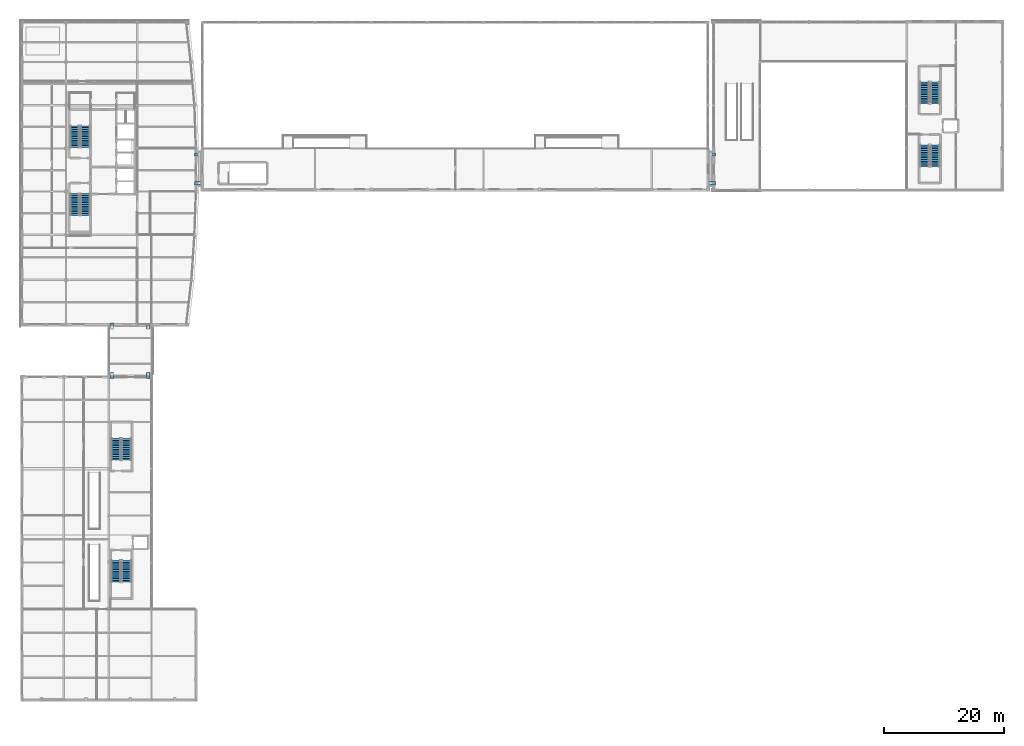
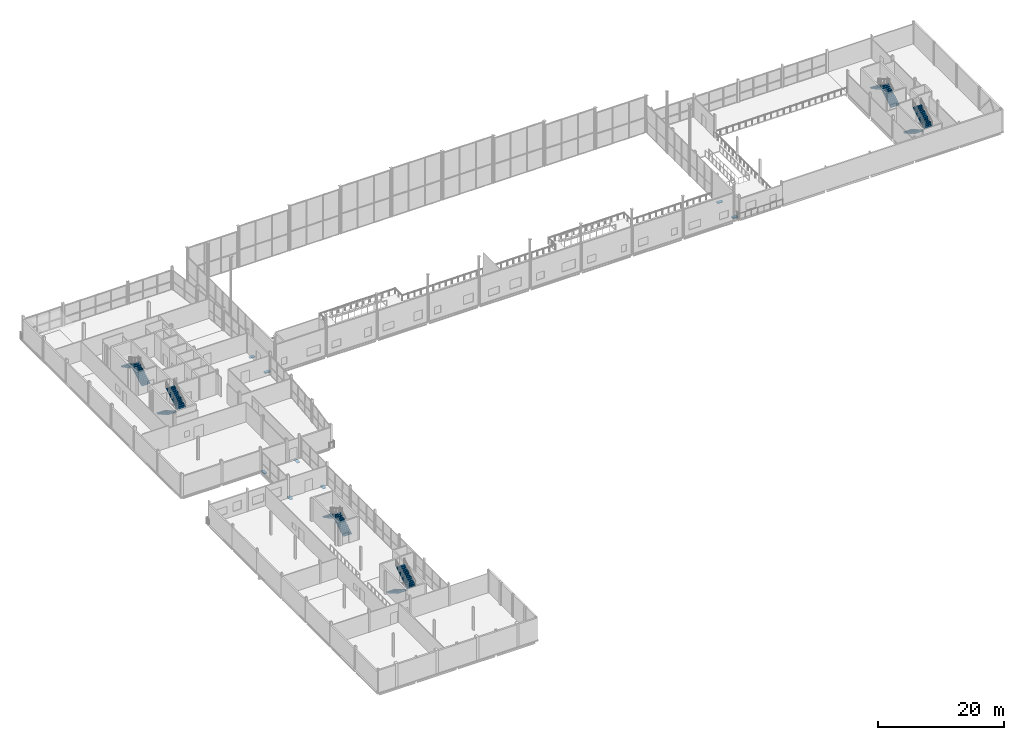
# One storey, part 70 of 77: 12 stair flights, 8 discrete accessories, 6 elements without a shape of their own.
"""IFC4 building model written with IfcOpenShell, lengths in metres."""

import ifcopenshell
import ifcopenshell.guid

model = None  # the IFC model being written
_history = None  # IfcOwnerHistory: only IFC2X3 demands one
_inside = {}  # id of a spatial element -> (the spatial element, [elements in it])
_under = {}  # id of a project, library or spatial element -> (it, [spatial elements below it])
_declared = {}  # id of a project -> (the project, [libraries it declares])
_typed = {}  # id of a type object -> (the type object, [elements of that type])
_made_of = {}  # id of a material, layer set ... -> (it, [elements and type objects made of it])


def new_model(schema):
    """Start an empty IFC model of exactly this schema.

    Asked for "IFC4X3", IfcOpenShell would pick the latest addendum, in which some entities
    have other attributes; the version numbers below select the first issue.
    IFC2X3 requires an IfcOwnerHistory on every rooted entity: one is made here for all.
    """
    global model, _history
    if schema == "IFC4X3":
        model = ifcopenshell.file(schema_version=(4, 3, 0, 0))
    else:
        model = ifcopenshell.file(schema=schema)
    _inside.clear()
    _under.clear()
    _declared.clear()
    _typed.clear()
    _made_of.clear()
    _history = None
    if model.schema == "IFC2X3":
        org = make("IfcOrganization", Name="unknown")
        user = make(
            "IfcPersonAndOrganization",
            ThePerson=make("IfcPerson", FamilyName="unknown"),
            TheOrganization=org,
        )
        app = make(
            "IfcApplication",
            ApplicationDeveloper=org,
            Version="unknown",
            ApplicationFullName="unknown",
            ApplicationIdentifier="unknown",
        )
        _history = make(
            "IfcOwnerHistory",
            OwningUser=user,
            OwningApplication=app,
            ChangeAction="ADDED",
            CreationDate=0,
        )
    return model


def make(cls, **values):
    """One entity of the class cls with the attributes given. An attribute that is None is left unset."""
    return model.create_entity(
        cls, **{name: value for name, value in values.items() if value is not None}
    )


def rooted(cls, **values):
    """An entity with a GlobalId (a new one), such as an element, a storey or a relation."""
    return make(cls, GlobalId=ifcopenshell.guid.new(), OwnerHistory=_history, **values)


def si_unit(unit_type, name, prefix=None):
    """IfcSIUnit, for example si_unit("LENGTHUNIT", "METRE", prefix="MILLI")."""
    return make("IfcSIUnit", UnitType=unit_type, Prefix=prefix, Name=name)


def assignment(units):
    """IfcUnitAssignment: the units of a project."""
    return None if units is None else make("IfcUnitAssignment", Units=units)


def point(xyz):
    """IfcCartesianPoint."""
    return None if xyz is None else make("IfcCartesianPoint", Coordinates=xyz)


def direction(xyz):
    """IfcDirection."""
    return None if xyz is None else make("IfcDirection", DirectionRatios=xyz)


def frame(location, z_axis=None, x_axis=None):
    """IfcAxis2Placement3D, a coordinate frame: its origin and axes. An axis left out is left unset."""
    return make(
        "IfcAxis2Placement3D",
        Location=point(location),
        Axis=direction(z_axis),
        RefDirection=direction(x_axis),
    )


def frame_2d(location, x_axis=None):
    """IfcAxis2Placement2D, a coordinate frame in the plane: its origin and x axis."""
    return make(
        "IfcAxis2Placement2D", Location=point(location), RefDirection=direction(x_axis)
    )


def origin():
    """The frame at (0, 0, 0) with its axes left unset."""
    return frame((0.0, 0.0, 0.0))


def origin_2d():
    """The frame at (0, 0) in the plane with its x axis left unset."""
    return frame_2d((0.0, 0.0))


def place(relative_to, where):
    """IfcLocalPlacement: puts the frame where relative to a parent placement (None: the world)."""
    return make(
        "IfcLocalPlacement", PlacementRelTo=relative_to, RelativePlacement=where
    )


def context(
    kind, dimensions, precision=None, world=None, true_north=None, identifier=None
):
    """IfcGeometricRepresentationContext, for example the 3D "Model" context."""
    return make(
        "IfcGeometricRepresentationContext",
        ContextIdentifier=identifier,
        ContextType=kind,
        CoordinateSpaceDimension=dimensions,
        Precision=precision,
        WorldCoordinateSystem=world,
        TrueNorth=true_north,
    )


def subcontext(parent, identifier, kind, view, scale=None):
    """IfcGeometricRepresentationSubContext, for example "Body" below "Model"."""
    return make(
        "IfcGeometricRepresentationSubContext",
        ContextIdentifier=identifier,
        ContextType=kind,
        ParentContext=parent,
        TargetScale=scale,
        TargetView=view,
    )


def project(units=None, contexts=None):
    """IfcProject with its units and contexts."""
    return rooted(
        "IfcProject",
        Name="project",
        RepresentationContexts=contexts,
        UnitsInContext=assignment(units),
    )


def spatial(cls, under=None, at=None, **own):
    """A site, building, storey or space (cls), placed at a placement, below another one or the project."""
    s = rooted(cls, ObjectPlacement=at, **own)
    if under is not None:
        _under.setdefault(under.id(), (under, []))[1].append(s)
    return s


def polyline(points):
    """IfcPolyline through the points."""
    return make("IfcPolyline", Points=[point(p) for p in points])


def profile(cls, at=None, kind="AREA", **sizes):
    """A parametric profile (cls). Its sizes go by their IFC names, for example OverallWidth=200.0."""
    return make(cls, ProfileType=kind, Position=at, **sizes)


def rectangle(**sizes):
    """IfcRectangleProfileDef."""
    return profile("IfcRectangleProfileDef", **sizes)


def outline(outer, holes=None, kind="AREA"):
    """IfcArbitraryClosedProfileDef: a profile drawn as a closed curve; with holes, ...WithVoids."""
    if holes is None:
        return make("IfcArbitraryClosedProfileDef", ProfileType=kind, OuterCurve=outer)
    return make(
        "IfcArbitraryProfileDefWithVoids",
        ProfileType=kind,
        OuterCurve=outer,
        InnerCurves=holes,
    )


def extrude(swept, where, along, depth):
    """IfcExtrudedAreaSolid: the profile swept, set in the frame where, extruded along a direction by depth."""
    return make(
        "IfcExtrudedAreaSolid",
        SweptArea=swept,
        Position=where,
        ExtrudedDirection=direction(along),
        Depth=depth,
    )


def shape(context_of_items, identifier, shape_type, items):
    """IfcShapeRepresentation: the items that make up one representation, for example the "Body"."""
    return make(
        "IfcShapeRepresentation",
        ContextOfItems=context_of_items,
        RepresentationIdentifier=identifier,
        RepresentationType=shape_type,
        Items=items,
    )


def material(Name=None, Category=None):
    """IfcMaterial."""
    return make("IfcMaterial", Name=Name, Category=Category)


def made_of(thing, what):
    """Note that an element or type object is made of a material, layer set ...; save() writes the relation."""
    if what is not None:
        _made_of.setdefault(what.id(), (what, []))[1].append(thing)
    return thing


def type_object(cls, material=None, **own):
    """A type object (cls), such as IfcWallType, which elements share."""
    return made_of(rooted(cls, **own), material)


def element(
    cls,
    number,
    at=None,
    inside=None,
    cuts=None,
    type_object=None,
    material=None,
    context=None,
    identifier="Body",
    shape_type=None,
    held_by="IfcProductDefinitionShape",
    body=None,
    shapes=None,
    **own,
):
    """One element of the class cls, such as IfcWall. Its Tag is "e" and its number.

    at: its placement. inside: the storey or other place that contains it. cuts: it is an
    opening in that element (IfcRelVoidsElement). A single representation is given by context,
    identifier, shape_type and body (its items); several are given by shapes. held_by: the class
    of the entity that holds the representations. save() writes the other relations.
    """
    e = rooted(cls, Tag="e%d" % number, ObjectPlacement=at, **own)
    if body is not None:
        shapes = [shape(context, identifier, shape_type, body)]
    if shapes is not None:
        e.Representation = make(held_by, Representations=shapes)
    if inside is not None:
        _inside.setdefault(inside.id(), (inside, []))[1].append(e)
    if cuts is not None:
        rooted(
            "IfcRelVoidsElement", RelatingBuildingElement=cuts, RelatedOpeningElement=e
        )
    if type_object is not None:
        _typed.setdefault(type_object.id(), (type_object, []))[1].append(e)
    return made_of(e, material)


def aggregate(whole, parts):
    """IfcRelAggregates: a whole, such as a stair, and the parts it consists of."""
    return rooted("IfcRelAggregates", RelatingObject=whole, RelatedObjects=parts)


def save(model, path):
    """Write the relations noted so far, then the file.

    IfcRelAggregates (storeys below a building ...), IfcRelContainedInSpatialStructure (elements
    in a storey), IfcRelDefinesByType, IfcRelAssociatesMaterial and IfcRelDeclares: one each for
    every whole, place, type object, material and project.
    """
    for whole, parts in _under.values():
        aggregate(whole, parts)
    for where, things in _inside.values():
        rooted(
            "IfcRelContainedInSpatialStructure",
            RelatedElements=things,
            RelatingStructure=where,
        )
    for kind, things in _typed.values():
        rooted("IfcRelDefinesByType", RelatedObjects=things, RelatingType=kind)
    for what, things in _made_of.values():
        rooted("IfcRelAssociatesMaterial", RelatedObjects=things, RelatingMaterial=what)
    for by, libraries in _declared.values():
        rooted("IfcRelDeclares", RelatingContext=by, RelatedDefinitions=libraries)
    model.write(path)


model = new_model("IFC4")

# Units and contexts
model_context = context("Model", 3, precision=1e-05, world=origin(), true_north=direction((0.0, 1.0)))
body_context = subcontext(model_context, "Body", "Model", "MODEL_VIEW")
ifc_project = project(units=[si_unit("LENGTHUNIT", "METRE"), si_unit("AREAUNIT", "SQUARE_METRE"), si_unit("VOLUMEUNIT", "CUBIC_METRE"), si_unit("PLANEANGLEUNIT", "RADIAN"), si_unit("MASSUNIT", "GRAM", prefix="KILO")], contexts=[model_context])

# Site, building, storey
site_placement = place(None, origin())
site = spatial("IfcSite", under=ifc_project, at=site_placement, CompositionType="ELEMENT")
building_placement = place(site_placement, origin())
building = spatial("IfcBuilding", under=site, at=building_placement, Name="Quillay Park Conservatory", CompositionType="ELEMENT")
storey_placement = place(building_placement, frame((0.0, 0.0, 5.39990234375)))
storey = spatial("IfcBuildingStorey", under=building, at=storey_placement, Name="L01", CompositionType="ELEMENT", Elevation=5.39990234375)

# Stair, stair flights
ifc_material_1 = material(Name="Concrete C35/45 (NCh170 Concrete C35/45)", Category="concrete")
stair_type = type_object("IfcStairType", Name="ENCLOSED DOG LEG STAIR 4500", PredefinedType="HALF_TURN_STAIR", material=ifc_material_1)
stair_1_placement = place(storey_placement, origin())
stair_1 = element("IfcStair", 1, at=stair_1_placement, inside=storey, type_object=stair_type, Name="L01 Tower Protected Exit Stair 1", PredefinedType="HALF_TURN_STAIR")
ifc_material_2 = material(Name="Concrete C35/45 (NCh170 Concrete C35/45)", Category="concrete")
stair_flight_type = type_object("IfcStairFlightType", Name="STRAIGHT STAIR FLIGHT 4500", PredefinedType="STRAIGHT", material=ifc_material_2)
stair_flight_1_placement = place(storey_placement, frame((11.090087890625, 92.550048828125, 0.0), z_axis=(0.0, 0.0, 1.0), x_axis=(0.0, 1.0, 0.0)))
stair_flight_1 = element("IfcStairFlight", 2, at=stair_flight_1_placement, type_object=stair_flight_type, Name="ST-T1 flight 1", NumberOfRisers=13, NumberOfTreads=12, PredefinedType="STRAIGHT", RiserHeight=0.173076923, TreadLength=0.3, context=body_context, shape_type="SweptSolid", body=[
    extrude(outline(polyline([(0.0, 0.0), (0.0, 0.173095703125), (0.300048828125, 0.173095703125), (0.300048828125, 0.34619140625), (0.60009765625, 0.34619140625), (0.60009765625, 0.519287109375), (0.89990234375, 0.519287109375), (0.89990234375, 0.6923828125), (1.199951171875, 0.6923828125), (1.199951171875, 0.865478515625), (1.5, 0.865478515625), (1.5, 1.03857421875), (1.800048828125, 1.03857421875), (1.800048828125, 1.21142578125), (2.10009765625, 1.21142578125), (2.10009765625, 1.384521484375), (2.39990234375, 1.384521484375), (2.39990234375, 1.5576171875), (2.699951171875, 1.5576171875), (2.699951171875, 1.730712890625), (3.0, 1.730712890625), (3.0, 1.90380859375), (3.300048828125, 1.90380859375), (3.300048828125, 2.076904296875), (3.60009765625, 2.076904296875), (3.60009765625, 2.25), (3.60009765625, 1.90380859375), (0.300048828125, 0.0), (0.0, 0.0)])), frame((0.0, 0.780029296875, 0.0), z_axis=(0.0, -1.0, 0.0), x_axis=(1.0, 0.0, 0.0)), (0.0, 0.0, 1.0), 1.56005859375),
])
stair_flight_2_placement = place(storey_placement, frame((9.330078125, 96.14990234375, 2.25), z_axis=(0.0, 0.0, 1.0), x_axis=(0.0, -1.0, 0.0)))
stair_flight_2 = element("IfcStairFlight", 3, at=stair_flight_2_placement, type_object=stair_flight_type, Name="ST-T1 flight 2", NumberOfRisers=13, NumberOfTreads=12, PredefinedType="STRAIGHT", RiserHeight=0.173076923, TreadLength=0.3, context=body_context, shape_type="SweptSolid", body=[
    extrude(outline(polyline([(0.0, 0.0), (0.0, 0.173095703125), (0.300048828125, 0.173095703125), (0.300048828125, 0.34619140625), (0.60009765625, 0.34619140625), (0.60009765625, 0.519287109375), (0.89990234375, 0.519287109375), (0.89990234375, 0.6923828125), (1.199951171875, 0.6923828125), (1.199951171875, 0.865478515625), (1.5, 0.865478515625), (1.5, 1.03857421875), (1.800048828125, 1.03857421875), (1.800048828125, 1.21142578125), (2.10009765625, 1.21142578125), (2.10009765625, 1.384521484375), (2.39990234375, 1.384521484375), (2.39990234375, 1.5576171875), (2.699951171875, 1.5576171875), (2.699951171875, 1.730712890625), (3.0, 1.730712890625), (3.0, 1.90380859375), (3.300048828125, 1.90380859375), (3.300048828125, 2.076904296875), (3.60009765625, 2.076904296875), (3.60009765625, 2.25), (3.60009765625, 1.90380859375), (0.300048828125, 0.0), (0.0, 0.0)])), frame((0.0, 0.780029296875, 0.0), z_axis=(0.0, -1.0, 0.0), x_axis=(1.0, 0.0, 0.0)), (0.0, 0.0, 1.0), 1.56005859375),
])
aggregate(stair_1, [stair_flight_1, stair_flight_2])

stair_2_placement = place(storey_placement, origin())
stair_2 = element("IfcStair", 4, at=stair_2_placement, inside=storey, type_object=stair_type, Name="L01 Tower Protected Exit Stair 2", PredefinedType="HALF_TURN_STAIR")
stair_flight_3_placement = place(storey_placement, frame((9.330078125, 84.85009765625, 0.0), z_axis=(0.0, 0.0, 1.0), x_axis=(0.0, -1.0, 0.0)))
stair_flight_3 = element("IfcStairFlight", 5, at=stair_flight_3_placement, type_object=stair_flight_type, Name="ST-T2 flight 1", NumberOfRisers=13, NumberOfTreads=12, PredefinedType="STRAIGHT", RiserHeight=0.173076923, TreadLength=0.3, context=body_context, shape_type="SweptSolid", body=[
    extrude(outline(polyline([(0.0, 0.0), (0.0, 0.173095703125), (0.300048828125, 0.173095703125), (0.300048828125, 0.34619140625), (0.60009765625, 0.34619140625), (0.60009765625, 0.519287109375), (0.89990234375, 0.519287109375), (0.89990234375, 0.6923828125), (1.199951171875, 0.6923828125), (1.199951171875, 0.865478515625), (1.5, 0.865478515625), (1.5, 1.03857421875), (1.800048828125, 1.03857421875), (1.800048828125, 1.21142578125), (2.10009765625, 1.21142578125), (2.10009765625, 1.384521484375), (2.39990234375, 1.384521484375), (2.39990234375, 1.5576171875), (2.699951171875, 1.5576171875), (2.699951171875, 1.730712890625), (3.0, 1.730712890625), (3.0, 1.90380859375), (3.300048828125, 1.90380859375), (3.300048828125, 2.076904296875), (3.60009765625, 2.076904296875), (3.60009765625, 2.25), (3.60009765625, 1.90380859375), (0.300048828125, 0.0), (0.0, 0.0)])), frame((0.0, 0.780029296875, 0.0), z_axis=(0.0, -1.0, 0.0), x_axis=(1.0, 0.0, 0.0)), (0.0, 0.0, 1.0), 1.56005859375),
])
stair_flight_4_placement = place(storey_placement, frame((11.090087890625, 81.25, 2.25), z_axis=(0.0, 0.0, 1.0), x_axis=(0.0, 1.0, 0.0)))
stair_flight_4 = element("IfcStairFlight", 6, at=stair_flight_4_placement, type_object=stair_flight_type, Name="ST-T2 flight 2", NumberOfRisers=13, NumberOfTreads=12, PredefinedType="STRAIGHT", RiserHeight=0.173076923, TreadLength=0.3, context=body_context, shape_type="SweptSolid", body=[
    extrude(outline(polyline([(0.0, 0.0), (0.0, 0.173095703125), (0.300048828125, 0.173095703125), (0.300048828125, 0.34619140625), (0.60009765625, 0.34619140625), (0.60009765625, 0.519287109375), (0.89990234375, 0.519287109375), (0.89990234375, 0.6923828125), (1.199951171875, 0.6923828125), (1.199951171875, 0.865478515625), (1.5, 0.865478515625), (1.5, 1.03857421875), (1.800048828125, 1.03857421875), (1.800048828125, 1.21142578125), (2.10009765625, 1.21142578125), (2.10009765625, 1.384521484375), (2.39990234375, 1.384521484375), (2.39990234375, 1.5576171875), (2.699951171875, 1.5576171875), (2.699951171875, 1.730712890625), (3.0, 1.730712890625), (3.0, 1.90380859375), (3.300048828125, 1.90380859375), (3.300048828125, 2.076904296875), (3.60009765625, 2.076904296875), (3.60009765625, 2.25), (3.60009765625, 1.90380859375), (0.300048828125, 0.0), (0.0, 0.0)])), frame((0.0, 0.780029296875, 0.0), z_axis=(0.0, -1.0, 0.0), x_axis=(1.0, 0.0, 0.0)), (0.0, 0.0, 1.0), 1.56005859375),
])
aggregate(stair_2, [stair_flight_3, stair_flight_4])

stair_3_placement = place(storey_placement, origin())
stair_3 = element("IfcStair", 7, at=stair_3_placement, inside=storey, type_object=stair_type, Name="L01 Visitor Centre Exit Stair 1", PredefinedType="HALF_TURN_STAIR")
stair_flight_5_placement = place(storey_placement, frame((16.22998046875, 23.699951171875, 0.0), z_axis=(0.0, 0.0, 1.0), x_axis=(0.0, -1.0, 0.0)))
stair_flight_5 = element("IfcStairFlight", 8, at=stair_flight_5_placement, type_object=stair_flight_type, Name="ST-V1 flight 1", NumberOfRisers=13, NumberOfTreads=12, PredefinedType="STRAIGHT", RiserHeight=0.173076923, TreadLength=0.3, context=body_context, shape_type="SweptSolid", body=[
    extrude(outline(polyline([(0.0, 0.0), (0.0, 0.173095703125), (0.300048828125, 0.173095703125), (0.300048828125, 0.34619140625), (0.60009765625, 0.34619140625), (0.60009765625, 0.519287109375), (0.89990234375, 0.519287109375), (0.89990234375, 0.6923828125), (1.199951171875, 0.6923828125), (1.199951171875, 0.865478515625), (1.5, 0.865478515625), (1.5, 1.03857421875), (1.800048828125, 1.03857421875), (1.800048828125, 1.21142578125), (2.10009765625, 1.21142578125), (2.10009765625, 1.384521484375), (2.39990234375, 1.384521484375), (2.39990234375, 1.5576171875), (2.699951171875, 1.5576171875), (2.699951171875, 1.730712890625), (3.0, 1.730712890625), (3.0, 1.90380859375), (3.300048828125, 1.90380859375), (3.300048828125, 2.076904296875), (3.60009765625, 2.076904296875), (3.60009765625, 2.25), (3.60009765625, 1.90380859375), (0.300048828125, 0.0), (0.0, 0.0)])), frame((0.0, 0.780029296875, 0.0), z_axis=(0.0, -1.0, 0.0), x_axis=(1.0, 0.0, 0.0)), (0.0, 0.0, 1.0), 1.56005859375),
])
stair_flight_6_placement = place(storey_placement, frame((17.989990234375, 20.10009765625, 2.25), z_axis=(0.0, 0.0, 1.0), x_axis=(0.0, 1.0, 0.0)))
stair_flight_6 = element("IfcStairFlight", 9, at=stair_flight_6_placement, type_object=stair_flight_type, Name="ST-V1 flight 2", NumberOfRisers=13, NumberOfTreads=12, PredefinedType="STRAIGHT", RiserHeight=0.173076923, TreadLength=0.3, context=body_context, shape_type="SweptSolid", body=[
    extrude(outline(polyline([(0.0, 0.0), (0.0, 0.173095703125), (0.300048828125, 0.173095703125), (0.300048828125, 0.34619140625), (0.60009765625, 0.34619140625), (0.60009765625, 0.519287109375), (0.89990234375, 0.519287109375), (0.89990234375, 0.6923828125), (1.199951171875, 0.6923828125), (1.199951171875, 0.865478515625), (1.5, 0.865478515625), (1.5, 1.03857421875), (1.800048828125, 1.03857421875), (1.800048828125, 1.21142578125), (2.10009765625, 1.21142578125), (2.10009765625, 1.384521484375), (2.39990234375, 1.384521484375), (2.39990234375, 1.5576171875), (2.699951171875, 1.5576171875), (2.699951171875, 1.730712890625), (3.0, 1.730712890625), (3.0, 1.90380859375), (3.300048828125, 1.90380859375), (3.300048828125, 2.076904296875), (3.60009765625, 2.076904296875), (3.60009765625, 2.25), (3.60009765625, 1.90380859375), (0.300048828125, 0.0), (0.0, 0.0)])), frame((0.0, 0.780029296875, 0.0), z_axis=(0.0, -1.0, 0.0), x_axis=(1.0, 0.0, 0.0)), (0.0, 0.0, 1.0), 1.56005859375),
])
aggregate(stair_3, [stair_flight_5, stair_flight_6])

stair_4_placement = place(storey_placement, origin())
stair_4 = element("IfcStair", 10, at=stair_4_placement, inside=storey, type_object=stair_type, Name="L01 Visitor Centre Exit Stair 2", PredefinedType="HALF_TURN_STAIR")
stair_flight_7_placement = place(storey_placement, frame((17.989990234375, 40.449951171875, 0.0), z_axis=(0.0, 0.0, 1.0), x_axis=(0.0, 1.0, 0.0)))
stair_flight_7 = element("IfcStairFlight", 11, at=stair_flight_7_placement, type_object=stair_flight_type, Name="ST-V2 flight 1", NumberOfRisers=13, NumberOfTreads=12, PredefinedType="STRAIGHT", RiserHeight=0.173076923, TreadLength=0.3, context=body_context, shape_type="SweptSolid", body=[
    extrude(outline(polyline([(0.0, 0.0), (0.0, 0.173095703125), (0.300048828125, 0.173095703125), (0.300048828125, 0.34619140625), (0.60009765625, 0.34619140625), (0.60009765625, 0.519287109375), (0.89990234375, 0.519287109375), (0.89990234375, 0.6923828125), (1.199951171875, 0.6923828125), (1.199951171875, 0.865478515625), (1.5, 0.865478515625), (1.5, 1.03857421875), (1.800048828125, 1.03857421875), (1.800048828125, 1.21142578125), (2.10009765625, 1.21142578125), (2.10009765625, 1.384521484375), (2.39990234375, 1.384521484375), (2.39990234375, 1.5576171875), (2.699951171875, 1.5576171875), (2.699951171875, 1.730712890625), (3.0, 1.730712890625), (3.0, 1.90380859375), (3.300048828125, 1.90380859375), (3.300048828125, 2.076904296875), (3.60009765625, 2.076904296875), (3.60009765625, 2.25), (3.60009765625, 1.90380859375), (0.300048828125, 0.0), (0.0, 0.0)])), frame((0.0, 0.780029296875, 0.0), z_axis=(0.0, -1.0, 0.0), x_axis=(1.0, 0.0, 0.0)), (0.0, 0.0, 1.0), 1.56005859375),
])
stair_flight_8_placement = place(storey_placement, frame((16.22998046875, 44.050048828125, 2.25), z_axis=(0.0, 0.0, 1.0), x_axis=(0.0, -1.0, 0.0)))
stair_flight_8 = element("IfcStairFlight", 12, at=stair_flight_8_placement, type_object=stair_flight_type, Name="ST-V2 flight 2", NumberOfRisers=13, NumberOfTreads=12, PredefinedType="STRAIGHT", RiserHeight=0.173076923, TreadLength=0.3, context=body_context, shape_type="SweptSolid", body=[
    extrude(outline(polyline([(0.0, 0.0), (0.0, 0.173095703125), (0.300048828125, 0.173095703125), (0.300048828125, 0.34619140625), (0.60009765625, 0.34619140625), (0.60009765625, 0.519287109375), (0.89990234375, 0.519287109375), (0.89990234375, 0.6923828125), (1.199951171875, 0.6923828125), (1.199951171875, 0.865478515625), (1.5, 0.865478515625), (1.5, 1.03857421875), (1.800048828125, 1.03857421875), (1.800048828125, 1.21142578125), (2.10009765625, 1.21142578125), (2.10009765625, 1.384521484375), (2.39990234375, 1.384521484375), (2.39990234375, 1.5576171875), (2.699951171875, 1.5576171875), (2.699951171875, 1.730712890625), (3.0, 1.730712890625), (3.0, 1.90380859375), (3.300048828125, 1.90380859375), (3.300048828125, 2.076904296875), (3.60009765625, 2.076904296875), (3.60009765625, 2.25), (3.60009765625, 1.90380859375), (0.300048828125, 0.0), (0.0, 0.0)])), frame((0.0, 0.780029296875, 0.0), z_axis=(0.0, -1.0, 0.0), x_axis=(1.0, 0.0, 0.0)), (0.0, 0.0, 1.0), 1.56005859375),
])
aggregate(stair_4, [stair_flight_7, stair_flight_8])

stair_5_placement = place(storey_placement, origin())
stair_5 = element("IfcStair", 13, at=stair_5_placement, inside=storey, type_object=stair_type, Name="L01 Auditorium Exit Stair 1", PredefinedType="HALF_TURN_STAIR")
stair_flight_9_placement = place(storey_placement, frame((150.97998046875, 92.949951171875, 0.0), z_axis=(0.0, 0.0, 1.0), x_axis=(0.0, -1.0, 0.0)))
stair_flight_9 = element("IfcStairFlight", 14, at=stair_flight_9_placement, type_object=stair_flight_type, Name="ST-A1 flight 1", NumberOfRisers=13, NumberOfTreads=12, PredefinedType="STRAIGHT", RiserHeight=0.173076923, TreadLength=0.3, context=body_context, shape_type="SweptSolid", body=[
    extrude(outline(polyline([(0.0, 0.0), (0.0, 0.173095703125), (0.300048828125, 0.173095703125), (0.300048828125, 0.34619140625), (0.60009765625, 0.34619140625), (0.60009765625, 0.519287109375), (0.89990234375, 0.519287109375), (0.89990234375, 0.6923828125), (1.199951171875, 0.6923828125), (1.199951171875, 0.865478515625), (1.5, 0.865478515625), (1.5, 1.03857421875), (1.800048828125, 1.03857421875), (1.800048828125, 1.21142578125), (2.10009765625, 1.21142578125), (2.10009765625, 1.384521484375), (2.39990234375, 1.384521484375), (2.39990234375, 1.5576171875), (2.699951171875, 1.5576171875), (2.699951171875, 1.730712890625), (3.0, 1.730712890625), (3.0, 1.90380859375), (3.300048828125, 1.90380859375), (3.300048828125, 2.076904296875), (3.60009765625, 2.076904296875), (3.60009765625, 2.25), (3.60009765625, 1.90380859375), (0.300048828125, 0.0), (0.0, 0.0)])), frame((0.0, 0.780029296875, 0.0), z_axis=(0.0, -1.0, 0.0), x_axis=(1.0, 0.0, 0.0)), (0.0, 0.0, 1.0), 1.56005859375),
])
stair_flight_10_placement = place(storey_placement, frame((152.739990234375, 89.35009765625, 2.25), z_axis=(0.0, 0.0, 1.0), x_axis=(0.0, 1.0, 0.0)))
stair_flight_10 = element("IfcStairFlight", 15, at=stair_flight_10_placement, type_object=stair_flight_type, Name="ST-A1 flight 2", NumberOfRisers=13, NumberOfTreads=12, PredefinedType="STRAIGHT", RiserHeight=0.173076923, TreadLength=0.3, context=body_context, shape_type="SweptSolid", body=[
    extrude(outline(polyline([(0.0, 0.0), (0.0, 0.173095703125), (0.300048828125, 0.173095703125), (0.300048828125, 0.34619140625), (0.60009765625, 0.34619140625), (0.60009765625, 0.519287109375), (0.89990234375, 0.519287109375), (0.89990234375, 0.6923828125), (1.199951171875, 0.6923828125), (1.199951171875, 0.865478515625), (1.5, 0.865478515625), (1.5, 1.03857421875), (1.800048828125, 1.03857421875), (1.800048828125, 1.21142578125), (2.10009765625, 1.21142578125), (2.10009765625, 1.384521484375), (2.39990234375, 1.384521484375), (2.39990234375, 1.5576171875), (2.699951171875, 1.5576171875), (2.699951171875, 1.730712890625), (3.0, 1.730712890625), (3.0, 1.90380859375), (3.300048828125, 1.90380859375), (3.300048828125, 2.076904296875), (3.60009765625, 2.076904296875), (3.60009765625, 2.25), (3.60009765625, 1.90380859375), (0.300048828125, 0.0), (0.0, 0.0)])), frame((0.0, 0.780029296875, 0.0), z_axis=(0.0, -1.0, 0.0), x_axis=(1.0, 0.0, 0.0)), (0.0, 0.0, 1.0), 1.56005859375),
])
aggregate(stair_5, [stair_flight_9, stair_flight_10])

stair_6_placement = place(storey_placement, origin())
stair_6 = element("IfcStair", 16, at=stair_6_placement, inside=storey, type_object=stair_type, Name="L01 Auditorium Exit Stair 2", PredefinedType="HALF_TURN_STAIR")
stair_flight_11_placement = place(storey_placement, frame((152.739990234375, 99.85009765625, 0.0), z_axis=(0.0, 0.0, 1.0), x_axis=(0.0, 1.0, 0.0)))
stair_flight_11 = element("IfcStairFlight", 17, at=stair_flight_11_placement, type_object=stair_flight_type, Name="ST-A2 flight 1", NumberOfRisers=13, NumberOfTreads=12, PredefinedType="STRAIGHT", RiserHeight=0.173076923, TreadLength=0.3, context=body_context, shape_type="SweptSolid", body=[
    extrude(outline(polyline([(0.0, 0.0), (0.0, 0.173095703125), (0.300048828125, 0.173095703125), (0.300048828125, 0.34619140625), (0.60009765625, 0.34619140625), (0.60009765625, 0.519287109375), (0.89990234375, 0.519287109375), (0.89990234375, 0.6923828125), (1.199951171875, 0.6923828125), (1.199951171875, 0.865478515625), (1.5, 0.865478515625), (1.5, 1.03857421875), (1.800048828125, 1.03857421875), (1.800048828125, 1.21142578125), (2.10009765625, 1.21142578125), (2.10009765625, 1.384521484375), (2.39990234375, 1.384521484375), (2.39990234375, 1.5576171875), (2.699951171875, 1.5576171875), (2.699951171875, 1.730712890625), (3.0, 1.730712890625), (3.0, 1.90380859375), (3.300048828125, 1.90380859375), (3.300048828125, 2.076904296875), (3.60009765625, 2.076904296875), (3.60009765625, 2.25), (3.60009765625, 1.90380859375), (0.300048828125, 0.0), (0.0, 0.0)])), frame((0.0, 0.780029296875, 0.0), z_axis=(0.0, -1.0, 0.0), x_axis=(1.0, 0.0, 0.0)), (0.0, 0.0, 1.0), 1.56005859375),
])
stair_flight_12_placement = place(storey_placement, frame((150.97998046875, 103.449951171875, 2.25), z_axis=(0.0, 0.0, 1.0), x_axis=(0.0, -1.0, 0.0)))
stair_flight_12 = element("IfcStairFlight", 18, at=stair_flight_12_placement, type_object=stair_flight_type, Name="ST-A2 flight 2", NumberOfRisers=13, NumberOfTreads=12, PredefinedType="STRAIGHT", RiserHeight=0.173076923, TreadLength=0.3, context=body_context, shape_type="SweptSolid", body=[
    extrude(outline(polyline([(0.0, 0.0), (0.0, 0.173095703125), (0.300048828125, 0.173095703125), (0.300048828125, 0.34619140625), (0.60009765625, 0.34619140625), (0.60009765625, 0.519287109375), (0.89990234375, 0.519287109375), (0.89990234375, 0.6923828125), (1.199951171875, 0.6923828125), (1.199951171875, 0.865478515625), (1.5, 0.865478515625), (1.5, 1.03857421875), (1.800048828125, 1.03857421875), (1.800048828125, 1.21142578125), (2.10009765625, 1.21142578125), (2.10009765625, 1.384521484375), (2.39990234375, 1.384521484375), (2.39990234375, 1.5576171875), (2.699951171875, 1.5576171875), (2.699951171875, 1.730712890625), (3.0, 1.730712890625), (3.0, 1.90380859375), (3.300048828125, 1.90380859375), (3.300048828125, 2.076904296875), (3.60009765625, 2.076904296875), (3.60009765625, 2.25), (3.60009765625, 1.90380859375), (0.300048828125, 0.0), (0.0, 0.0)])), frame((0.0, 0.780029296875, 0.0), z_axis=(0.0, -1.0, 0.0), x_axis=(1.0, 0.0, 0.0)), (0.0, 0.0, 1.0), 1.56005859375),
])
aggregate(stair_6, [stair_flight_11, stair_flight_12])

# Discrete accessories
ifc_material_3 = material(Name="Concrete C40/50 (NCh170 Concrete C40/50)", Category="concrete")
discrete_accessory_type = type_object("IfcDiscreteAccessoryType", Name="REINFORCED CONCRETE CORBEL SEAT 980", PredefinedType="BRACKET", material=ifc_material_3)
for number, where, z_axis, x_axis, name in (
    (19, (15.550048828125, 54.550048828125, -0.47998046875), (0.0, 0.0, 1.0), (1.0, 0.0, 0.0), "Reinforced concrete 980 mm bridge corbel seat B-CB1 01"),
    (20, (21.60009765625, 54.550048828125, -0.47998046875), (0.0, 0.0, 1.0), (1.0, 0.0, 0.0), "Reinforced concrete 980 mm bridge corbel seat B-CB1 02"),
    (21, (15.550048828125, 62.800048828125, -0.47998046875), (0.0, 0.0, 1.0), (1.0, 0.0, 0.0), "Reinforced concrete 980 mm bridge corbel seat B-CB1 03"),
    (22, (21.60009765625, 62.800048828125, -0.47998046875), (0.0, 0.0, 1.0), (1.0, 0.0, 0.0), "Reinforced concrete 980 mm bridge corbel seat B-CB1 04"),
):
    element("IfcDiscreteAccessory", number, at=place(storey_placement, frame(where, z_axis=z_axis, x_axis=x_axis)), inside=storey, type_object=discrete_accessory_type, Name=name, PredefinedType="BRACKET", context=body_context, shape_type="SweptSolid", body=[
        extrude(rectangle(XDim=0.550048828125, YDim=0.97998046875, at=origin_2d()), origin(), (0.0, 0.0, 1.0), 0.139892578125),
    ])
for number, where, z_axis, x_axis, name in (
    (23, (29.800048828125, 86.60009765625, -0.4599609375), (0.0, 0.0, 1.0), (1.0, 0.0, 0.0), "Reinforced concrete 980 mm bridge corbel seat B-CB1 09"),
    (24, (29.800048828125, 91.39990234375, -0.4599609375), (0.0, 0.0, 1.0), (1.0, 0.0, 0.0), "Reinforced concrete 980 mm bridge corbel seat B-CB1 10"),
    (25, (115.60009765625, 86.60009765625, -0.4599609375), (0.0, 0.0, 1.0), (1.0, 0.0, 0.0), "Reinforced concrete 980 mm bridge corbel seat B-CB1 11"),
    (26, (115.60009765625, 91.39990234375, -0.4599609375), (0.0, 0.0, 1.0), (1.0, 0.0, 0.0), "Reinforced concrete 980 mm bridge corbel seat B-CB1 12"),
):
    element("IfcDiscreteAccessory", number, at=place(storey_placement, frame(where, z_axis=z_axis, x_axis=x_axis)), inside=storey, type_object=discrete_accessory_type, Name=name, PredefinedType="BRACKET", context=body_context, shape_type="SweptSolid", body=[
        extrude(rectangle(XDim=0.97998046875, YDim=0.550048828125, at=origin_2d()), origin(), (0.0, 0.0, 1.0), 0.139892578125),
    ])

save(model, "model.ifc")
